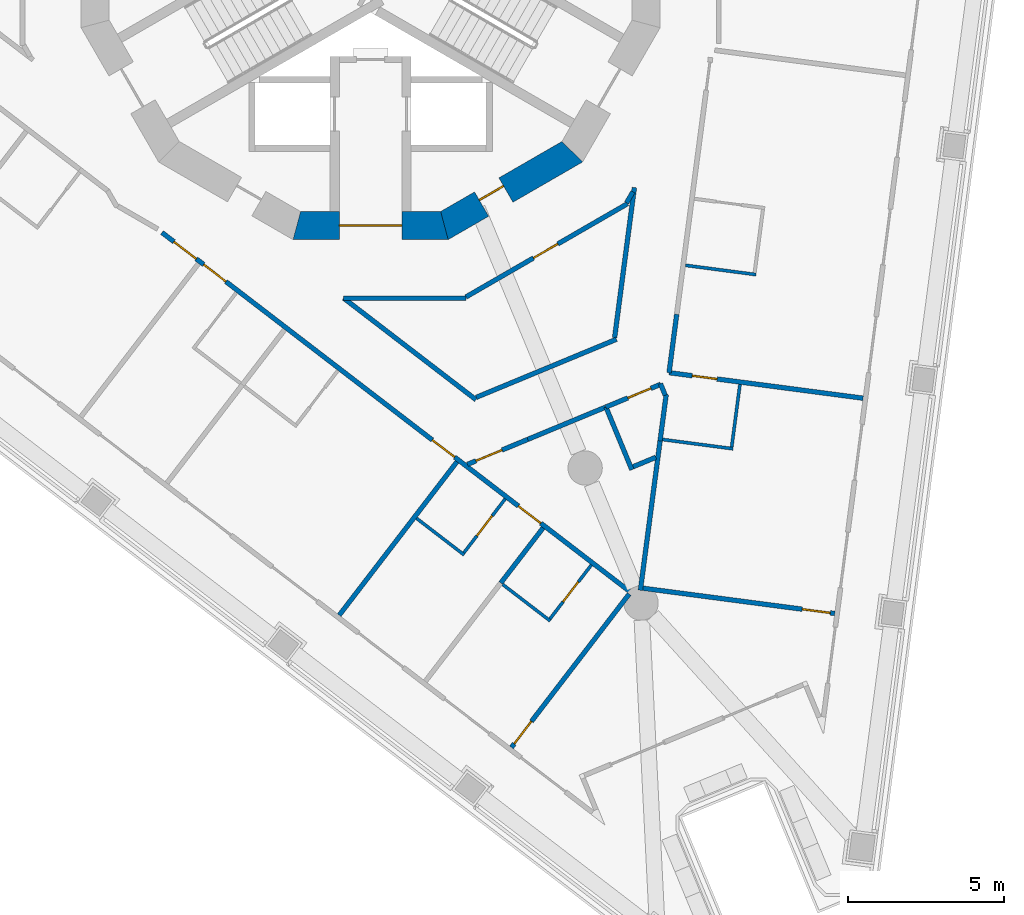
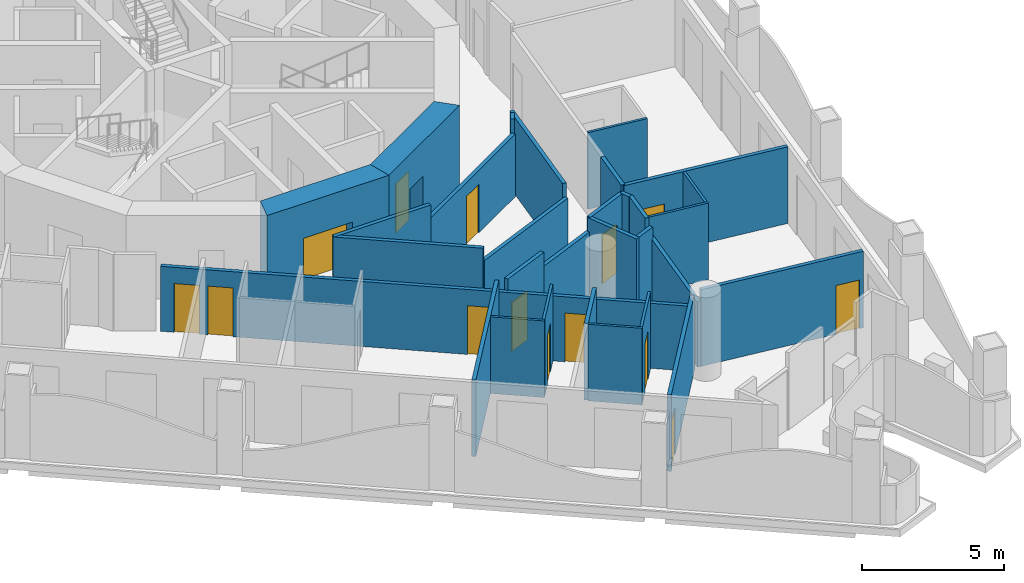
# One storey, part 4 of 17: 30 walls, 14 doors, 14 openings.
"""IFC4 building model written with IfcOpenShell, lengths in metres."""

from ifc_helpers import new_model, si_unit, direction, frame, frame_2d, origin, place, context, subcontext, project, spatial, polyline, rectangle, outline, extrude, material, layer, layer_set, type_object, element, fill, save


model = new_model("IFC4")

# Units and contexts
model_context = context("Model", 3, precision=1e-05, world=origin(), true_north=direction((0.0, 1.0)))
body_context = subcontext(model_context, "Body", "Model", "MODEL_VIEW")
ifc_project = project(units=[si_unit("LENGTHUNIT", "METRE"), si_unit("AREAUNIT", "SQUARE_METRE"), si_unit("VOLUMEUNIT", "CUBIC_METRE"), si_unit("PLANEANGLEUNIT", "RADIAN"), si_unit("MASSUNIT", "GRAM", prefix="KILO")], contexts=[model_context])

# Site, building, storey
site_placement = place(None, origin())
site = spatial("IfcSite", under=ifc_project, at=site_placement, CompositionType="ELEMENT")
building_placement = place(site_placement, origin())
building = spatial("IfcBuilding", under=site, at=building_placement, Name="Trine Commons Tower", CompositionType="ELEMENT")
storey_placement = place(building_placement, frame((0.0, 0.0, 135.0)))
storey = spatial("IfcBuildingStorey", under=building, at=storey_placement, Name="L34", CompositionType="ELEMENT", Elevation=135.0)

# Wall, opening, door
ifc_material_1 = material(Name="Concrete C70/85", Category="concrete")
ifc_layer_1 = layer(ifc_material_1, 0.89990234375)
ifc_layer_set_1 = layer_set([ifc_layer_1], Name="Concrete C70/85")
wall_type_1 = type_object("IfcWallType", Name="RC shear wall 900 mm, C70/85", PredefinedType="SHEAR", material=ifc_layer_set_1)
wall_1_placement = place(storey_placement, frame((77.515380859375, 53.677001953125, 0.0), z_axis=(0.0, 0.0, 1.0), x_axis=(1.0, 0.0, 0.0)))
wall_1 = element("IfcWall", 1, at=wall_1_placement, inside=storey, type_object=wall_type_1, Name="Core wall CWD-10 L34", PredefinedType="SHEAR", context=body_context, shape_type="SweptSolid", body=[
    extrude(outline(polyline([(0.0, -0.449951171875), (4.969482421875, -0.449951171875), (4.728271484375, 0.449951171875), (0.2412109375, 0.449951171875), (0.0, -0.449951171875)])), origin(), (0.0, 0.0, 1.0), 3.60009765625),
])
opening_1_placement = place(wall_1_placement, frame((1.484619140625, 0.0, 0.0)))
opening_1 = element("IfcOpeningElement", 2, at=opening_1_placement, cuts=wall_1, Name="Opening K09.08", PredefinedType="OPENING", context=body_context, shape_type="SweptSolid", body=[
    extrude(rectangle(XDim=2.0, YDim=2.10009765625, at=frame_2d((1.0, 1.050048828125))), frame((0.0, 0.4599609375, 0.0), z_axis=(0.0, -1.0, 0.0), x_axis=(1.0, 0.0, 0.0)), (0.0, 0.0, 1.0), 0.919921875),
])
ifc_material_2 = material(Name="Steel door leaves, fire-rated", Category="steel")
door_type_1 = type_object("IfcDoorType", Name="Lobby door, double leaf 2000 x 2100, FD60", OperationType="DOUBLE_DOOR_SINGLE_SWING", PredefinedType="DOOR", material=ifc_material_2)
door_1_placement = place(opening_1_placement, origin())
door_1 = element("IfcDoor", 3, at=door_1_placement, inside=storey, type_object=door_type_1, Name="Lobby door, Service and firefighting lobby L34", OperationType="DOUBLE_DOOR_SINGLE_SWING", OverallHeight=2.10009765625, OverallWidth=2.0, PredefinedType="DOOR", context=body_context, shape_type="SweptSolid", body=[
    extrude(rectangle(XDim=2.0, YDim=2.10009765625, at=frame_2d((1.0, 1.050048828125))), frame((0.0, 0.02490234375, 0.0), z_axis=(0.0, -1.0, 0.0), x_axis=(1.0, 0.0, 0.0)), (0.0, 0.0, 1.0), 0.050048828125),
])
fill(opening_1, door_1)

wall_2_placement = place(storey_placement, frame((82.259765625, 53.61669921875, 0.0), z_axis=(0.0, 0.0, 1.0), x_axis=(0.866003133579, 0.500038571144, 0.0)))
wall_2 = element("IfcWall", 4, at=wall_2_placement, inside=storey, type_object=wall_type_1, Name="Core wall CWD-11 L34", PredefinedType="SHEAR", context=body_context, shape_type="SweptSolid", body=[
    extrude(outline(polyline([(0.0, -0.449951171875), (4.96923828125, -0.449951171875), (4.72802734375, 0.449951171875), (0.2412109375, 0.449951171875), (0.0, -0.449951171875)])), origin(), (0.0, 0.0, 1.0), 3.60009765625),
])
opening_2_placement = place(wall_2_placement, frame((1.4951171875, 0.0, 0.0)))
opening_2 = element("IfcOpeningElement", 5, at=opening_2_placement, cuts=wall_2, Name="Opening K09.15", PredefinedType="OPENING", context=body_context, shape_type="SweptSolid", body=[
    extrude(rectangle(XDim=0.89990234375, YDim=2.10009765625, at=frame_2d((0.449951171875, 1.050048828125))), frame((0.0, 0.4599609375, 0.0), z_axis=(0.0, -1.0, 0.0), x_axis=(1.0, 0.0, 0.0)), (0.0, 0.0, 1.0), 0.919921875),
])
ifc_material_3 = material(Name="Steel door leaf, fire-rated", Category="steel")
door_type_2 = type_object("IfcDoorType", Name="Core room door, single leaf 900 x 2100, FD30S", OperationType="SINGLE_SWING_LEFT", PredefinedType="DOOR", material=ifc_material_3)
door_2_placement = place(opening_2_placement, origin())
door_2 = element("IfcDoor", 6, at=door_2_placement, inside=storey, type_object=door_type_2, Name="Door to Accessible WC L34", OperationType="SINGLE_SWING_LEFT", OverallHeight=2.10009765625, OverallWidth=0.89990234375, PredefinedType="DOOR", context=body_context, shape_type="SweptSolid", body=[
    extrude(rectangle(XDim=0.89990234375, YDim=2.10009765625, at=frame_2d((0.449951171875, 1.050048828125))), frame((0.0, 0.1748046875, 0.0), z_axis=(0.0, -1.0, 0.0), x_axis=(1.0, 0.0, 0.0)), (0.0, 0.0, 1.0), 0.050048828125),
])
fill(opening_2, door_2)

# Wall, openings, doors
ifc_material_4 = material(Name="Gypsum plasterboard on steel stud", Category="steel")
ifc_layer_2 = layer(ifc_material_4, 0.14990234375)
ifc_layer_set_2 = layer_set([ifc_layer_2], Name="Gypsum plasterboard on steel stud")
wall_type_2 = type_object("IfcWallType", Name="Unit and corridor wall 150 mm, EI 60", PredefinedType="PARTITIONING", material=ifc_layer_set_2)
wall_3_placement = place(storey_placement, frame((73.318115234375, 53.4541015625, 0.0), z_axis=(0.0, 0.0, 1.0), x_axis=(0.793337765411, -0.60878172605, 0.0)))
wall_3 = element("IfcWall", 7, at=wall_3_placement, inside=storey, type_object=wall_type_2, Name="Partition 052", PredefinedType="PARTITIONING", context=body_context, shape_type="SweptSolid", body=[
    extrude(rectangle(XDim=18.994873046875, YDim=0.14990234375, at=frame_2d((9.49755859375, 0.0))), origin(), (0.0, 0.0, 1.0), 2.800048828125),
])
opening_3_placement = place(wall_3_placement, frame((14.39306640625, 0.0, 0.0)))
opening_3 = element("IfcOpeningElement", 8, at=opening_3_placement, cuts=wall_3, Name="Opening D-4B21", PredefinedType="OPENING", context=body_context, shape_type="SweptSolid", body=[
    extrude(rectangle(XDim=0.89990234375, YDim=2.10009765625, at=frame_2d((0.449951171875, 1.050048828125))), frame((0.0, 0.0849609375, 0.0), z_axis=(0.0, -1.0, 0.0), x_axis=(1.0, 0.0, 0.0)), (0.0, 0.0, 1.0), 0.169921875),
])
opening_4_placement = place(wall_3_placement, frame((10.91552734375, 0.0, 0.0)))
opening_4 = element("IfcOpeningElement", 9, at=opening_4_placement, cuts=wall_3, Name="Opening D-4B22", PredefinedType="OPENING", context=body_context, shape_type="SweptSolid", body=[
    extrude(rectangle(XDim=0.89990234375, YDim=2.10009765625, at=frame_2d((0.449951171875, 1.050048828125))), frame((0.0, 0.0849609375, 0.0), z_axis=(0.0, -1.0, 0.0), x_axis=(1.0, 0.0, 0.0)), (0.0, 0.0, 1.0), 0.169921875),
])
opening_5_placement = place(wall_3_placement, frame((1.6826171875, 0.0, 0.0)))
opening_5 = element("IfcOpeningElement", 10, at=opening_5_placement, cuts=wall_3, Name="Opening D-4B23", PredefinedType="OPENING", context=body_context, shape_type="SweptSolid", body=[
    extrude(rectangle(XDim=0.89990234375, YDim=2.10009765625, at=frame_2d((0.449951171875, 1.050048828125))), frame((0.0, 0.0849609375, 0.0), z_axis=(0.0, -1.0, 0.0), x_axis=(1.0, 0.0, 0.0)), (0.0, 0.0, 1.0), 0.169921875),
])
opening_6_placement = place(wall_3_placement, frame((0.482666015625, 0.0, 0.0)))
opening_6 = element("IfcOpeningElement", 11, at=opening_6_placement, cuts=wall_3, Name="Opening D-4B24", PredefinedType="OPENING", context=body_context, shape_type="SweptSolid", body=[
    extrude(rectangle(XDim=0.89990234375, YDim=2.10009765625, at=frame_2d((0.449951171875, 1.050048828125))), frame((0.0, 0.0849609375, 0.0), z_axis=(0.0, -1.0, 0.0), x_axis=(1.0, 0.0, 0.0)), (0.0, 0.0, 1.0), 0.169921875),
])
ifc_material_5 = material(Name="Timber fire door set", Category="wood")
door_type_3 = type_object("IfcDoorType", Name="Bedroom door 900 x 2100, FD30S", OperationType="NOTDEFINED", PredefinedType="DOOR", material=ifc_material_5)
door_3_placement = place(opening_3_placement, frame((0.89990234375, 0.0, 0.0), z_axis=(0.0, 0.0, 1.0), x_axis=(-1.0, 0.0, 0.0)))
door_3 = element("IfcDoor", 12, at=door_3_placement, inside=storey, type_object=door_type_3, Name="Door D-4B21", OperationType="SINGLE_SWING_LEFT", OverallHeight=2.10009765625, OverallWidth=0.89990234375, PredefinedType="DOOR", context=body_context, shape_type="SweptSolid", body=[
    extrude(rectangle(XDim=0.89990234375, YDim=2.10009765625, at=frame_2d((0.449951171875, 1.050048828125))), frame((0.0, 0.02490234375, 0.0), z_axis=(0.0, -1.0, 0.0), x_axis=(1.0, 0.0, 0.0)), (0.0, 0.0, 1.0), 0.050048828125),
])
fill(opening_3, door_3)
door_4_placement = place(opening_4_placement, frame((0.89990234375, 0.0, 0.0), z_axis=(0.0, 0.0, 1.0), x_axis=(-1.0, 0.0, 0.0)))
door_4 = element("IfcDoor", 13, at=door_4_placement, inside=storey, type_object=door_type_3, Name="Door D-4B22", OperationType="SINGLE_SWING_LEFT", OverallHeight=2.10009765625, OverallWidth=0.89990234375, PredefinedType="DOOR", context=body_context, shape_type="SweptSolid", body=[
    extrude(rectangle(XDim=0.89990234375, YDim=2.10009765625, at=frame_2d((0.449951171875, 1.050048828125))), frame((0.0, 0.02490234375, 0.0), z_axis=(0.0, -1.0, 0.0), x_axis=(1.0, 0.0, 0.0)), (0.0, 0.0, 1.0), 0.050048828125),
])
fill(opening_4, door_4)
door_5_placement = place(opening_5_placement, frame((0.89990234375, 0.0, 0.0), z_axis=(0.0, 0.0, 1.0), x_axis=(-1.0, 0.0, 0.0)))
door_5 = element("IfcDoor", 14, at=door_5_placement, inside=storey, type_object=door_type_3, Name="Door D-4B23", OperationType="SINGLE_SWING_RIGHT", OverallHeight=2.10009765625, OverallWidth=0.89990234375, PredefinedType="DOOR", context=body_context, shape_type="SweptSolid", body=[
    extrude(rectangle(XDim=0.89990234375, YDim=2.10009765625, at=frame_2d((0.449951171875, 1.050048828125))), frame((0.0, 0.02490234375, 0.0), z_axis=(0.0, -1.0, 0.0), x_axis=(1.0, 0.0, 0.0)), (0.0, 0.0, 1.0), 0.050048828125),
])
fill(opening_5, door_5)
door_6_placement = place(opening_6_placement, frame((0.89990234375, 0.0, 0.0), z_axis=(0.0, 0.0, 1.0), x_axis=(-1.0, 0.0, 0.0)))
door_6 = element("IfcDoor", 15, at=door_6_placement, inside=storey, type_object=door_type_3, Name="Door D-4B24", OperationType="SINGLE_SWING_RIGHT", OverallHeight=2.10009765625, OverallWidth=0.89990234375, PredefinedType="DOOR", context=body_context, shape_type="SweptSolid", body=[
    extrude(rectangle(XDim=0.89990234375, YDim=2.10009765625, at=frame_2d((0.449951171875, 1.050048828125))), frame((0.0, 0.02490234375, 0.0), z_axis=(0.0, -1.0, 0.0), x_axis=(1.0, 0.0, 0.0)), (0.0, 0.0, 1.0), 0.050048828125),
])
fill(opening_6, door_6)

# Walls
wall_4_placement = place(storey_placement, frame((78.994384765625, 41.19677734375, 0.0), z_axis=(0.0, 0.0, 1.0), x_axis=(0.608811285709, 0.79331508141, 0.0)))
element("IfcWall", 16, at=wall_4_placement, inside=storey, type_object=wall_type_2, Name="Partition 069", PredefinedType="PARTITIONING", context=body_context, shape_type="SweptSolid", body=[
    extrude(rectangle(XDim=6.194091796875, YDim=0.14990234375, at=frame_2d((3.09716796875, 0.0))), origin(), (0.0, 0.0, 1.0), 3.300048828125),
])
wall_5_placement = place(storey_placement, frame((79.134033203125, 51.35205078125, 0.0), z_axis=(0.0, 0.0, 1.0), x_axis=(1.0, 0.0, 0.0)))
element("IfcWall", 17, at=wall_5_placement, inside=storey, type_object=wall_type_2, Name="Partition 071", PredefinedType="PARTITIONING", context=body_context, shape_type="SweptSolid", body=[
    extrude(rectangle(XDim=3.927978515625, YDim=0.14990234375, at=frame_2d((1.9638671875, 0.0))), origin(), (0.0, 0.0, 1.0), 3.300048828125),
])
wall_6_placement = place(storey_placement, frame((79.137939453125, 51.35205078125, 0.0), z_axis=(0.0, 0.0, 1.0), x_axis=(0.793274409151, -0.608864280268, 0.0)))
element("IfcWall", 18, at=wall_6_placement, inside=storey, type_object=wall_type_2, Name="Partition 072", PredefinedType="PARTITIONING", context=body_context, shape_type="SweptSolid", body=[
    extrude(rectangle(XDim=5.340576171875, YDim=0.14990234375, at=frame_2d((2.67041015625, 0.0))), origin(), (0.0, 0.0, 1.0), 3.300048828125),
])

# Wall, opening, door
wall_7_placement = place(storey_placement, frame((83.052001953125, 51.389404296875, 0.0), z_axis=(0.0, 0.0, 1.0), x_axis=(0.866039280689, 0.499975963725, 0.0)))
wall_7 = element("IfcWall", 19, at=wall_7_placement, inside=storey, type_object=wall_type_2, Name="Partition 083", PredefinedType="PARTITIONING", context=body_context, shape_type="SweptSolid", body=[
    extrude(rectangle(XDim=5.974365234375, YDim=0.14990234375, at=frame_2d((2.9873046875, 0.0))), origin(), (0.0, 0.0, 1.0), 2.699951171875),
])
opening_7_placement = place(wall_7_placement, frame((2.499755859375, 0.0, 0.0)))
opening_7 = element("IfcOpeningElement", 20, at=opening_7_placement, cuts=wall_7, Name="Opening D-4B29", PredefinedType="OPENING", context=body_context, shape_type="SweptSolid", body=[
    extrude(rectangle(XDim=0.89990234375, YDim=2.10009765625, at=frame_2d((0.449951171875, 1.050048828125))), frame((0.0, 0.0849609375, 0.0), z_axis=(0.0, -1.0, 0.0), x_axis=(1.0, 0.0, 0.0)), (0.0, 0.0, 1.0), 0.169921875),
])
door_type_4 = type_object("IfcDoorType", Name="Service door 900 x 2100, FD30S", OperationType="NOTDEFINED", PredefinedType="DOOR", material=ifc_material_5)
door_7_placement = place(opening_7_placement, frame((0.89990234375, 0.0, 0.0), z_axis=(0.0, 0.0, 1.0), x_axis=(-1.0, 0.0, 0.0)))
door_7 = element("IfcDoor", 21, at=door_7_placement, inside=storey, type_object=door_type_4, Name="Door D-4B29", OperationType="SINGLE_SWING_RIGHT", OverallHeight=2.10009765625, OverallWidth=0.89990234375, PredefinedType="DOOR", context=body_context, shape_type="SweptSolid", body=[
    extrude(rectangle(XDim=0.89990234375, YDim=2.10009765625, at=frame_2d((0.449951171875, 1.050048828125))), frame((0.0, 0.02490234375, 0.0), z_axis=(0.0, -1.0, 0.0), x_axis=(1.0, 0.0, 0.0)), (0.0, 0.0, 1.0), 0.050048828125),
])
fill(opening_7, door_7)

wall_8_placement = place(storey_placement, frame((83.102294921875, 46.02880859375, 0.0), z_axis=(0.0, 0.0, 1.0), x_axis=(0.923986937012, 0.382424031973, 0.0)))
wall_8 = element("IfcWall", 22, at=wall_8_placement, inside=storey, type_object=wall_type_2, Name="Partition 085", PredefinedType="PARTITIONING", context=body_context, shape_type="SweptSolid", body=[
    extrude(rectangle(XDim=2.089599609375, YDim=0.14990234375, at=frame_2d((1.044921875, 0.0))), origin(), (0.0, 0.0, 1.0), 3.300048828125),
])
opening_8_placement = place(wall_8_placement, frame((0.2978515625, 0.0, 0.0)))
opening_8 = element("IfcOpeningElement", 23, at=opening_8_placement, cuts=wall_8, Name="Opening D-4B02", PredefinedType="OPENING", context=body_context, shape_type="SweptSolid", body=[
    extrude(rectangle(XDim=0.89990234375, YDim=2.10009765625, at=frame_2d((0.449951171875, 1.050048828125))), frame((0.0, 0.0849609375, 0.0), z_axis=(0.0, -1.0, 0.0), x_axis=(1.0, 0.0, 0.0)), (0.0, 0.0, 1.0), 0.169921875),
])
door_type_5 = type_object("IfcDoorType", Name="Cluster entrance door 900 x 2100, FD30S", OperationType="NOTDEFINED", PredefinedType="DOOR", material=ifc_material_5)
door_8_placement = place(opening_8_placement, frame((0.89990234375, 0.0, 0.0), z_axis=(0.0, 0.0, 1.0), x_axis=(-1.0, 0.0, 0.0)))
door_8 = element("IfcDoor", 24, at=door_8_placement, inside=storey, type_object=door_type_5, Name="Door D-4B02", OperationType="SINGLE_SWING_RIGHT", OverallHeight=2.10009765625, OverallWidth=0.89990234375, PredefinedType="DOOR", context=body_context, shape_type="SweptSolid", body=[
    extrude(rectangle(XDim=0.89990234375, YDim=2.10009765625, at=frame_2d((0.449951171875, 1.050048828125))), frame((0.0, 0.02490234375, 0.0), z_axis=(0.0, -1.0, 0.0), x_axis=(1.0, 0.0, 0.0)), (0.0, 0.0, 1.0), 0.050048828125),
])
fill(opening_8, door_8)

# Walls
wall_9_placement = place(storey_placement, frame((83.38427734375, 48.1748046875, 0.0), z_axis=(0.0, 0.0, 1.0), x_axis=(0.923876009177, 0.382691938335, 0.0)))
element("IfcWall", 25, at=wall_9_placement, inside=storey, type_object=wall_type_2, Name="Partition 086", PredefinedType="PARTITIONING", context=body_context, shape_type="SweptSolid", body=[
    extrude(rectangle(XDim=4.85986328125, YDim=0.14990234375, at=frame_2d((2.429931640625, 0.0))), origin(), (0.0, 0.0, 1.0), 2.699951171875),
])
wall_10_placement = place(storey_placement, frame((84.1689453125, 42.22900390625, 0.0), z_axis=(0.0, 0.0, 1.0), x_axis=(0.609212171412, 0.793007269956, 0.0)))
element("IfcWall", 26, at=wall_10_placement, inside=storey, type_object=wall_type_2, Name="Partition 088", PredefinedType="PARTITIONING", context=body_context, shape_type="SweptSolid", body=[
    extrude(rectangle(XDim=2.224853515625, YDim=0.14990234375, at=frame_2d((1.1123046875, 0.0))), origin(), (0.0, 0.0, 1.0), 3.300048828125),
])

# Wall, opening, door
wall_11_placement = place(storey_placement, frame((84.51220703125, 36.962646484375, 0.0), z_axis=(0.0, 0.0, 1.0), x_axis=(0.608712047114, 0.79339122991, 0.0)))
wall_11 = element("IfcWall", 27, at=wall_11_placement, inside=storey, type_object=wall_type_2, Name="Partition 090", PredefinedType="PARTITIONING", context=body_context, shape_type="SweptSolid", body=[
    extrude(rectangle(XDim=6.193359375, YDim=0.14990234375, at=frame_2d((3.0966796875, 0.0))), origin(), (0.0, 0.0, 1.0), 3.300048828125),
])
opening_9_placement = place(wall_11_placement, frame((0.14990234375, 0.0, 0.0)))
opening_9 = element("IfcOpeningElement", 28, at=opening_9_placement, cuts=wall_11, Name="Opening D-4B20", PredefinedType="OPENING", context=body_context, shape_type="SweptSolid", body=[
    extrude(rectangle(XDim=0.89990234375, YDim=2.10009765625, at=frame_2d((0.449951171875, 1.050048828125))), frame((0.0, 0.0849609375, 0.0), z_axis=(0.0, -1.0, 0.0), x_axis=(1.0, 0.0, 0.0)), (0.0, 0.0, 1.0), 0.169921875),
])
door_9_placement = place(opening_9_placement, origin())
door_9 = element("IfcDoor", 29, at=door_9_placement, inside=storey, type_object=door_type_3, Name="Door D-4B20", OperationType="SINGLE_SWING_LEFT", OverallHeight=2.10009765625, OverallWidth=0.89990234375, PredefinedType="DOOR", context=body_context, shape_type="SweptSolid", body=[
    extrude(rectangle(XDim=0.89990234375, YDim=2.10009765625, at=frame_2d((0.449951171875, 1.050048828125))), frame((0.0, 0.02490234375, 0.0), z_axis=(0.0, -1.0, 0.0), x_axis=(1.0, 0.0, 0.0)), (0.0, 0.0, 1.0), 0.050048828125),
])
fill(opening_9, door_9)

# Wall
wall_12_placement = place(storey_placement, frame((85.032958984375, 46.827880859375, 0.0), z_axis=(0.0, 0.0, 1.0), x_axis=(0.923769467477, 0.382949044857, 0.0)))
element("IfcWall", 30, at=wall_12_placement, inside=storey, type_object=wall_type_2, Name="Partition 091", PredefinedType="PARTITIONING", context=body_context, shape_type="SweptSolid", body=[
    extrude(rectangle(XDim=2.695556640625, YDim=0.14990234375, at=frame_2d((1.34765625, 0.0))), origin(), (0.0, 0.0, 1.0), 2.699951171875),
])

# Wall, opening, door
wall_13_placement = place(storey_placement, frame((87.532958984375, 47.864013671875, 0.0), z_axis=(0.0, 0.0, 1.0), x_axis=(0.923851437131, 0.382751253571, 0.0)))
wall_13 = element("IfcWall", 31, at=wall_13_placement, inside=storey, type_object=wall_type_2, Name="Partition 099", PredefinedType="PARTITIONING", context=body_context, shape_type="SweptSolid", body=[
    extrude(rectangle(XDim=1.9072265625, YDim=0.14990234375, at=frame_2d((0.95361328125, 0.0))), origin(), (0.0, 0.0, 1.0), 3.300048828125),
])
opening_10_placement = place(wall_13_placement, frame((0.764892578125, 0.0, 0.0)))
opening_10 = element("IfcOpeningElement", 32, at=opening_10_placement, cuts=wall_13, Name="Opening D-4B04", PredefinedType="OPENING", context=body_context, shape_type="SweptSolid", body=[
    extrude(rectangle(XDim=0.800048828125, YDim=2.10009765625, at=frame_2d((0.39990234375, 1.050048828125))), frame((0.0, 0.0849609375, 0.0), z_axis=(0.0, -1.0, 0.0), x_axis=(1.0, 0.0, 0.0)), (0.0, 0.0, 1.0), 0.169921875),
])
ifc_material_6 = material(Name="Painted timber", Category="wood")
door_type_6 = type_object("IfcDoorType", Name="Toilet door 800 x 2100, NOT RATED", OperationType="NOTDEFINED", PredefinedType="DOOR", material=ifc_material_6)
door_10_placement = place(opening_10_placement, frame((0.800048828125, 0.0, 0.0), z_axis=(0.0, 0.0, 1.0), x_axis=(-1.0, 0.0, 0.0)))
door_10 = element("IfcDoor", 33, at=door_10_placement, inside=storey, type_object=door_type_6, Name="Door D-4B04", OperationType="SINGLE_SWING_LEFT", OverallHeight=2.10009765625, OverallWidth=0.800048828125, PredefinedType="DOOR", context=body_context, shape_type="SweptSolid", body=[
    extrude(rectangle(XDim=0.800048828125, YDim=2.10009765625, at=frame_2d((0.39990234375, 1.050048828125))), frame((0.0, 0.02490234375, 0.0), z_axis=(0.0, -1.0, 0.0), x_axis=(1.0, 0.0, 0.0)), (0.0, 0.0, 1.0), 0.050048828125),
])
fill(opening_10, door_10)

# Walls
wall_14_placement = place(storey_placement, frame((87.537109375, 47.864990234375, 0.0), z_axis=(0.0, 0.0, 1.0), x_axis=(0.382398068784, -0.923997682351, 0.0)))
element("IfcWall", 34, at=wall_14_placement, inside=storey, type_object=wall_type_2, Name="Partition 100", PredefinedType="PARTITIONING", context=body_context, shape_type="SweptSolid", body=[
    extrude(rectangle(XDim=2.174560546875, YDim=0.14990234375, at=frame_2d((1.08740234375, 0.0))), origin(), (0.0, 0.0, 1.0), 3.300048828125),
])
wall_15_placement = place(storey_placement, frame((87.814697265625, 50.080322265625, 0.0), z_axis=(0.0, 0.0, 1.0), x_axis=(0.130546835993, 0.991442143351, 0.0)))
element("IfcWall", 35, at=wall_15_placement, inside=storey, type_object=wall_type_2, Name="Partition 102", PredefinedType="PARTITIONING", context=body_context, shape_type="SweptSolid", body=[
    extrude(rectangle(XDim=4.856689453125, YDim=0.14990234375, at=frame_2d((2.42822265625, 0.0))), origin(), (0.0, 0.0, 1.0), 3.300048828125),
])
wall_16_placement = place(storey_placement, frame((88.198486328125, 54.404052734375, 0.0), z_axis=(0.0, 0.0, 1.0), x_axis=(0.499481060725, 0.866324806281, 0.0)))
element("IfcWall", 36, at=wall_16_placement, inside=storey, type_object=wall_type_2, Name="Partition 105", PredefinedType="PARTITIONING", context=body_context, shape_type="SweptSolid", body=[
    extrude(rectangle(XDim=0.40869140625, YDim=0.14990234375, at=frame_2d((0.204345703125, 0.0))), origin(), (0.0, 0.0, 1.0), 3.300048828125),
])
wall_17_placement = place(storey_placement, frame((88.4091796875, 45.95361328125, 0.0), z_axis=(0.0, 0.0, 1.0), x_axis=(0.92369931044, 0.383118237484, 0.0)))
element("IfcWall", 37, at=wall_17_placement, inside=storey, type_object=wall_type_2, Name="Partition 107", PredefinedType="PARTITIONING", context=body_context, shape_type="SweptSolid", body=[
    extrude(rectangle(XDim=0.78759765625, YDim=0.14990234375, at=frame_2d((0.393798828125, 0.0))), origin(), (0.0, 0.0, 1.0), 3.300048828125),
])
wall_18_placement = place(storey_placement, frame((88.64111328125, 41.99560546875, 0.0), z_axis=(0.0, 0.0, 1.0), x_axis=(0.130614848927, 0.991433185464, 0.0)))
element("IfcWall", 38, at=wall_18_placement, inside=storey, type_object=wall_type_2, Name="Partition 108", PredefinedType="PARTITIONING", context=body_context, shape_type="SweptSolid", body=[
    extrude(rectangle(XDim=4.884033203125, YDim=0.14990234375, at=frame_2d((2.44189453125, 0.0))), origin(), (0.0, 0.0, 1.0), 2.800048828125),
])

# Wall, opening, door
wall_19_placement = place(storey_placement, frame((88.725341796875, 42.060302734375, 0.0), z_axis=(0.0, 0.0, 1.0), x_axis=(0.991454966236, -0.130449415202, 0.0)))
wall_19 = element("IfcWall", 39, at=wall_19_placement, inside=storey, type_object=wall_type_2, Name="Partition 109", PredefinedType="PARTITIONING", context=body_context, shape_type="SweptSolid", body=[
    extrude(rectangle(XDim=6.19482421875, YDim=0.14990234375, at=frame_2d((3.097412109375, 0.0))), origin(), (0.0, 0.0, 1.0), 3.300048828125),
])
opening_11_placement = place(wall_19_placement, frame((5.14501953125, 0.0, 0.0)))
opening_11 = element("IfcOpeningElement", 40, at=opening_11_placement, cuts=wall_19, Name="Opening D-4B19", PredefinedType="OPENING", context=body_context, shape_type="SweptSolid", body=[
    extrude(rectangle(XDim=0.89990234375, YDim=2.10009765625, at=frame_2d((0.449951171875, 1.050048828125))), frame((0.0, 0.0849609375, 0.0), z_axis=(0.0, -1.0, 0.0), x_axis=(1.0, 0.0, 0.0)), (0.0, 0.0, 1.0), 0.169921875),
])
door_11_placement = place(opening_11_placement, origin())
door_11 = element("IfcDoor", 41, at=door_11_placement, inside=storey, type_object=door_type_3, Name="Door D-4B19", OperationType="SINGLE_SWING_RIGHT", OverallHeight=2.10009765625, OverallWidth=0.89990234375, PredefinedType="DOOR", context=body_context, shape_type="SweptSolid", body=[
    extrude(rectangle(XDim=0.89990234375, YDim=2.10009765625, at=frame_2d((0.449951171875, 1.050048828125))), frame((0.0, 0.02490234375, 0.0), z_axis=(0.0, -1.0, 0.0), x_axis=(1.0, 0.0, 0.0)), (0.0, 0.0, 1.0), 0.050048828125),
])
fill(opening_11, door_11)

# Walls
wall_20_placement = place(storey_placement, frame((89.271484375, 46.780517578125, 0.0), z_axis=(0.0, 0.0, 1.0), x_axis=(0.130968577384, 0.991386519849, 0.0)))
element("IfcWall", 42, at=wall_20_placement, inside=storey, type_object=wall_type_2, Name="Partition 111", PredefinedType="PARTITIONING", context=body_context, shape_type="SweptSolid", body=[
    extrude(rectangle(XDim=1.498779296875, YDim=0.14990234375, at=frame_2d((0.74951171875, 0.0))), origin(), (0.0, 0.0, 1.0), 3.300048828125),
])
wall_21_placement = place(storey_placement, frame((89.283935546875, 48.611328125, 0.0), z_axis=(0.0, 0.0, 1.0), x_axis=(0.383358021714, -0.923599819829, 0.0)))
element("IfcWall", 43, at=wall_21_placement, inside=storey, type_object=wall_type_2, Name="Partition 113", PredefinedType="PARTITIONING", context=body_context, shape_type="SweptSolid", body=[
    extrude(rectangle(XDim=0.39990234375, YDim=0.14990234375, at=frame_2d((0.199951171875, 0.0))), origin(), (0.0, 0.0, 1.0), 3.300048828125),
])
wall_22_placement = place(storey_placement, frame((89.55908203125, 48.9609375, 0.0), z_axis=(0.0, 0.0, 1.0), x_axis=(0.130073589494, 0.99150434256, 0.0)))
element("IfcWall", 44, at=wall_22_placement, inside=storey, type_object=wall_type_2, Name="Partition 114", PredefinedType="PARTITIONING", context=body_context, shape_type="SweptSolid", body=[
    extrude(rectangle(XDim=1.89013671875, YDim=0.14990234375, at=frame_2d((0.945068359375, 0.0))), origin(), (0.0, 0.0, 1.0), 3.300048828125),
])

# Wall, opening, door
wall_23_placement = place(storey_placement, frame((89.55908203125, 48.965087890625, 0.0), z_axis=(0.0, 0.0, 1.0), x_axis=(0.991455620836, -0.130444439942, 0.0)))
wall_23 = element("IfcWall", 45, at=wall_23_placement, inside=storey, type_object=wall_type_2, Name="Partition 115", PredefinedType="PARTITIONING", context=body_context, shape_type="SweptSolid", body=[
    extrude(rectangle(XDim=6.269775390625, YDim=0.14990234375, at=frame_2d((3.134765625, 0.0))), origin(), (0.0, 0.0, 1.0), 3.300048828125),
])
opening_12_placement = place(wall_23_placement, frame((0.750244140625, 0.0, 0.0)))
opening_12 = element("IfcOpeningElement", 46, at=opening_12_placement, cuts=wall_23, Name="Opening D-4B49", PredefinedType="OPENING", context=body_context, shape_type="SweptSolid", body=[
    extrude(rectangle(XDim=0.800048828125, YDim=2.10009765625, at=frame_2d((0.39990234375, 1.050048828125))), frame((0.0, 0.0849609375, 0.0), z_axis=(0.0, -1.0, 0.0), x_axis=(1.0, 0.0, 0.0)), (0.0, 0.0, 1.0), 0.169921875),
])
door_type_7 = type_object("IfcDoorType", Name="Internal door 800 x 2100, NOT RATED", OperationType="NOTDEFINED", PredefinedType="DOOR", material=ifc_material_6)
door_12_placement = place(opening_12_placement, origin())
door_12 = element("IfcDoor", 47, at=door_12_placement, inside=storey, type_object=door_type_7, Name="Door D-4B49", OperationType="SINGLE_SWING_LEFT", OverallHeight=2.10009765625, OverallWidth=0.800048828125, PredefinedType="DOOR", context=body_context, shape_type="SweptSolid", body=[
    extrude(rectangle(XDim=0.800048828125, YDim=2.10009765625, at=frame_2d((0.39990234375, 1.050048828125))), frame((0.0, 0.02490234375, 0.0), z_axis=(0.0, -1.0, 0.0), x_axis=(1.0, 0.0, 0.0)), (0.0, 0.0, 1.0), 0.050048828125),
])
fill(opening_12, door_12)

# Wall
ifc_layer_3 = layer(ifc_material_4, 0.10009765625)
ifc_layer_set_3 = layer_set([ifc_layer_3], Name="Gypsum plasterboard on steel stud")
wall_type_3 = type_object("IfcWallType", Name="Unit partition 100 mm, no rating", PredefinedType="PARTITIONING", material=ifc_layer_set_3)
wall_24_placement = place(storey_placement, frame((81.470458984375, 44.30029296875, 0.0), z_axis=(0.0, 0.0, 1.0), x_axis=(0.793132716202, -0.609048844092, 0.0)))
element("IfcWall", 48, at=wall_24_placement, inside=storey, type_object=wall_type_3, Name="Partition 076", PredefinedType="PARTITIONING", context=body_context, shape_type="SweptSolid", body=[
    extrude(rectangle(XDim=1.92578125, YDim=0.10009765625, at=frame_2d((0.962890625, 0.0))), origin(), (0.0, 0.0, 1.0), 3.300048828125),
])

# Wall, opening, door
wall_25_placement = place(storey_placement, frame((82.98828125, 43.19775390625, 0.0), z_axis=(0.0, 0.0, 1.0), x_axis=(0.608744865415, 0.793366049709, 0.0)))
wall_25 = element("IfcWall", 49, at=wall_25_placement, inside=storey, type_object=wall_type_3, Name="Partition 082", PredefinedType="PARTITIONING", context=body_context, shape_type="SweptSolid", body=[
    extrude(rectangle(XDim=2.17529296875, YDim=0.10009765625, at=frame_2d((1.087646484375, 0.0))), origin(), (0.0, 0.0, 1.0), 3.300048828125),
])
opening_13_placement = place(wall_25_placement, frame((0.6875, 0.0, 0.0)))
opening_13 = element("IfcOpeningElement", 50, at=opening_13_placement, cuts=wall_25, Name="Opening D-4B51", PredefinedType="OPENING", context=body_context, shape_type="SweptSolid", body=[
    extrude(rectangle(XDim=0.800048828125, YDim=2.10009765625, at=frame_2d((0.39990234375, 1.050048828125))), frame((0.0, 0.06005859375, 0.0), z_axis=(0.0, -1.0, 0.0), x_axis=(1.0, 0.0, 0.0)), (0.0, 0.0, 1.0), 0.1201171875),
])
door_13_placement = place(opening_13_placement, frame((0.800048828125, 0.0, 0.0), z_axis=(0.0, 0.0, 1.0), x_axis=(-1.0, 0.0, 0.0)))
door_13 = element("IfcDoor", 51, at=door_13_placement, inside=storey, type_object=door_type_7, Name="Door D-4B51", OperationType="SINGLE_SWING_LEFT", OverallHeight=2.10009765625, OverallWidth=0.800048828125, PredefinedType="DOOR", context=body_context, shape_type="SweptSolid", body=[
    extrude(rectangle(XDim=0.800048828125, YDim=2.10009765625, at=frame_2d((0.39990234375, 1.050048828125))), frame((0.0, 0.02490234375, 0.0), z_axis=(0.0, -1.0, 0.0), x_axis=(1.0, 0.0, 0.0)), (0.0, 0.0, 1.0), 0.050048828125),
])
fill(opening_13, door_13)

# Wall
wall_26_placement = place(storey_placement, frame((84.228515625, 42.183349609375, 0.0), z_axis=(0.0, 0.0, 1.0), x_axis=(0.793391951231, -0.608711106948, 0.0)))
element("IfcWall", 52, at=wall_26_placement, inside=storey, type_object=wall_type_3, Name="Partition 089", PredefinedType="PARTITIONING", context=body_context, shape_type="SweptSolid", body=[
    extrude(rectangle(XDim=1.9248046875, YDim=0.10009765625, at=frame_2d((0.96240234375, 0.0))), origin(), (0.0, 0.0, 1.0), 3.300048828125),
])

# Wall, opening, door
wall_27_placement = place(storey_placement, frame((85.74658203125, 41.081787109375, 0.0), z_axis=(0.0, 0.0, 1.0), x_axis=(0.60915721009, 0.793049489878, 0.0)))
wall_27 = element("IfcWall", 53, at=wall_27_placement, inside=storey, type_object=wall_type_3, Name="Partition 092", PredefinedType="PARTITIONING", context=body_context, shape_type="SweptSolid", body=[
    extrude(rectangle(XDim=2.174560546875, YDim=0.10009765625, at=frame_2d((1.08740234375, 0.0))), origin(), (0.0, 0.0, 1.0), 3.300048828125),
])
opening_14_placement = place(wall_27_placement, frame((0.6875, 0.0, 0.0)))
opening_14 = element("IfcOpeningElement", 54, at=opening_14_placement, cuts=wall_27, Name="Opening D-4B50", PredefinedType="OPENING", context=body_context, shape_type="SweptSolid", body=[
    extrude(rectangle(XDim=0.800048828125, YDim=2.10009765625, at=frame_2d((0.39990234375, 1.050048828125))), frame((0.0, 0.06005859375, 0.0), z_axis=(0.0, -1.0, 0.0), x_axis=(1.0, 0.0, 0.0)), (0.0, 0.0, 1.0), 0.1201171875),
])
door_14_placement = place(opening_14_placement, frame((0.800048828125, 0.0, 0.0), z_axis=(0.0, 0.0, 1.0), x_axis=(-1.0, 0.0, 0.0)))
door_14 = element("IfcDoor", 55, at=door_14_placement, inside=storey, type_object=door_type_7, Name="Door D-4B50", OperationType="SINGLE_SWING_LEFT", OverallHeight=2.10009765625, OverallWidth=0.800048828125, PredefinedType="DOOR", context=body_context, shape_type="SweptSolid", body=[
    extrude(rectangle(XDim=0.800048828125, YDim=2.10009765625, at=frame_2d((0.39990234375, 1.050048828125))), frame((0.0, 0.02490234375, 0.0), z_axis=(0.0, -1.0, 0.0), x_axis=(1.0, 0.0, 0.0)), (0.0, 0.0, 1.0), 0.050048828125),
])
fill(opening_14, door_14)

# Walls
for number, where, z_axis, x_axis, name in (
    (56, (89.353515625, 46.82421875, 0.0), (0.0, 0.0, 1.0), (0.991459774706, -0.130412864162, 0.0), "Partition 112"),
    (57, (90.08740234375, 52.4033203125, 0.0), (0.0, 0.0, 1.0), (0.991445890878, -0.130518372124, 0.0), "Partition 118"),
):
    element("IfcWall", number, at=place(storey_placement, frame(where, z_axis=z_axis, x_axis=x_axis)), inside=storey, type_object=wall_type_3, Name=name, PredefinedType="PARTITIONING", context=body_context, shape_type="SweptSolid", body=[
        extrude(rectangle(XDim=2.274658203125, YDim=0.10009765625, at=frame_2d((1.13720703125, 0.0))), origin(), (0.0, 0.0, 1.0), 3.300048828125),
    ])
wall_28_placement = place(storey_placement, frame((91.5654296875, 46.58349609375, 0.0), z_axis=(0.0, 0.0, 1.0), x_axis=(0.130725909934, 0.991418547573, 0.0)))
element("IfcWall", 58, at=wall_28_placement, inside=storey, type_object=wall_type_3, Name="Partition 129", PredefinedType="PARTITIONING", context=body_context, shape_type="SweptSolid", body=[
    extrude(rectangle(XDim=2.0244140625, YDim=0.10009765625, at=frame_2d((1.01220703125, 0.0))), origin(), (0.0, 0.0, 1.0), 3.300048828125),
])

save(model, "model.ifc")
